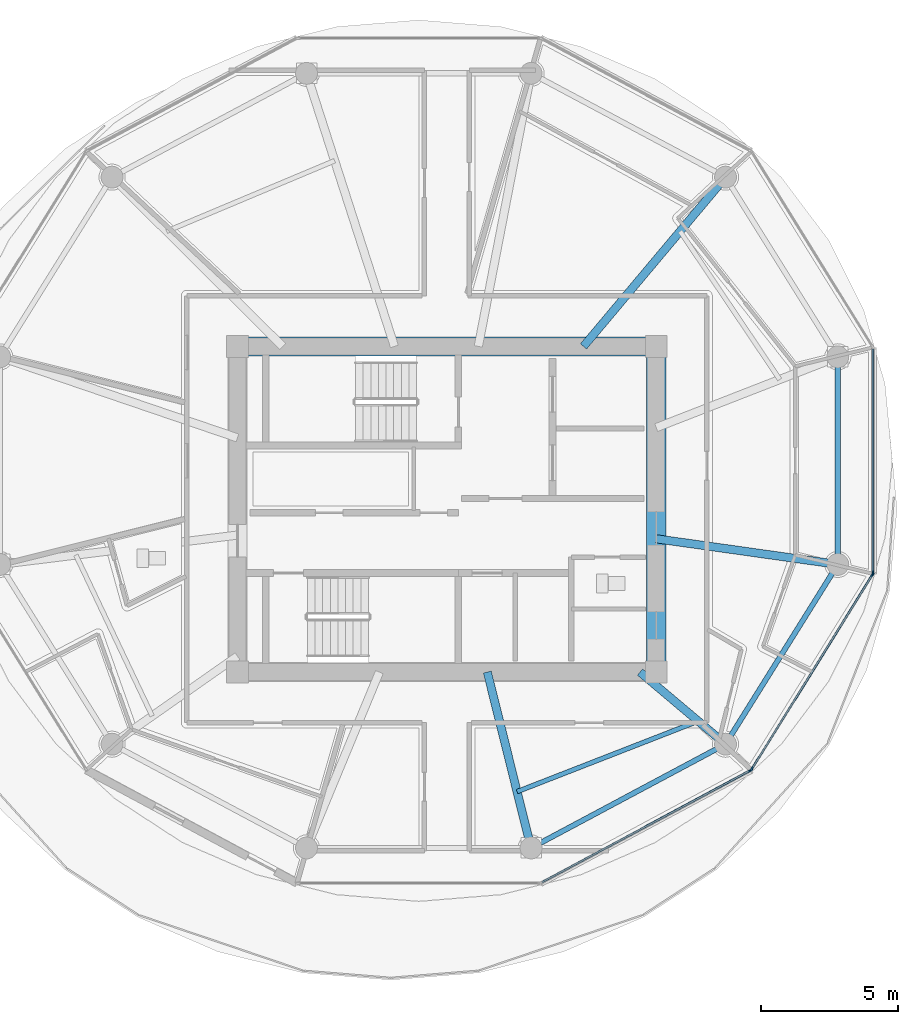
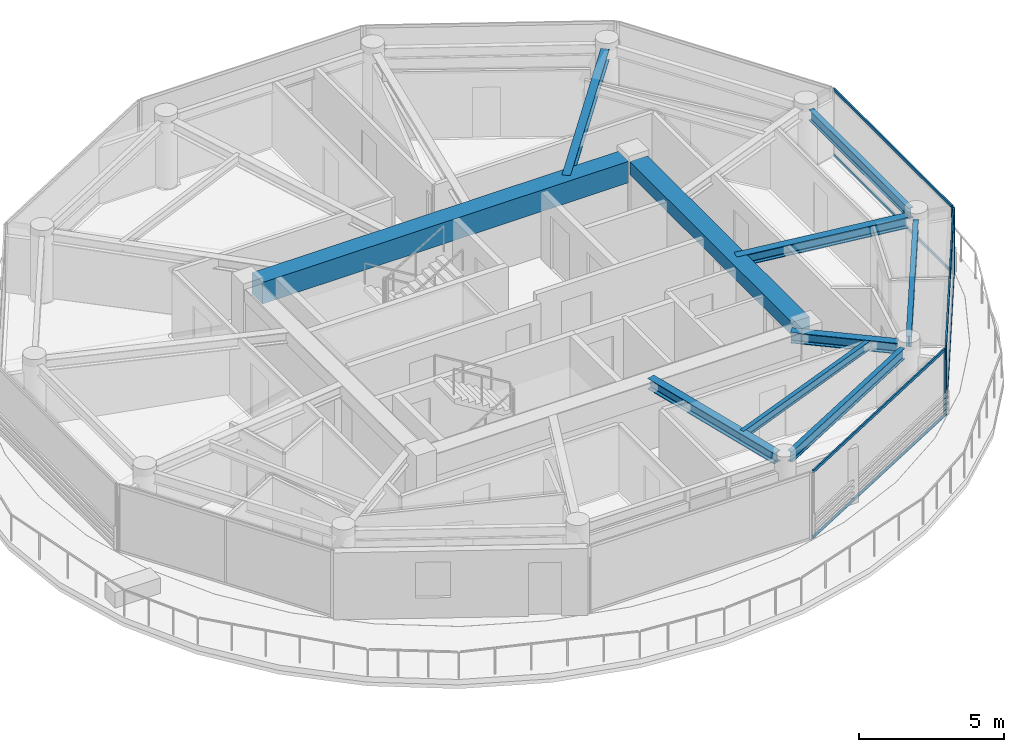
# One storey, part 9 of 28: 10 beams, 10 members, 3 elements without a shape of their own.
"""IFC4 building model written with IfcOpenShell, lengths in metres."""

from ifc_helpers import new_model, si_unit, direction, frame, origin, origin_2d, place, context, subcontext, project, spatial, rectangle, i_section, extrude, source, transform, mapped, material, layer, layer_set, material_profile, profile_set, type_object, type_shapes, element, aggregate, save


model = new_model("IFC4")

# Units and contexts
model_context = context("Model", 3, precision=1e-05, world=origin(), true_north=direction((0.0, 1.0)))
body_context = subcontext(model_context, "Body", "Model", "MODEL_VIEW")
ifc_project = project(units=[si_unit("LENGTHUNIT", "METRE"), si_unit("AREAUNIT", "SQUARE_METRE"), si_unit("VOLUMEUNIT", "CUBIC_METRE"), si_unit("PLANEANGLEUNIT", "RADIAN"), si_unit("MASSUNIT", "GRAM", prefix="KILO")], contexts=[model_context])

# Site, building, storey
site_placement = place(None, origin())
site = spatial("IfcSite", under=ifc_project, at=site_placement, CompositionType="ELEMENT")
building_placement = place(site_placement, origin())
building = spatial("IfcBuilding", under=site, at=building_placement, Name="Norrkilde Senior Care Towers", CompositionType="ELEMENT")
storey_placement = place(building_placement, frame((0.0, 0.0, 134.300048828125)))
storey = spatial("IfcBuildingStorey", under=building, at=storey_placement, Name="L41", CompositionType="ELEMENT", Elevation=134.300048828125)

# Beams
ifc_material_1 = material(Name="Concrete C60/75", Category="concrete")
ifc_material_profile_1 = material_profile(ifc_material_1, rectangle(XDim=0.699951171875, YDim=0.89990234375, at=origin_2d()), Name="RC BM 700x900")
ifc_profile_set_1 = profile_set([ifc_material_profile_1], Name="Concrete C60/75")
beam_type_1 = type_object("IfcBeamType", Name="Core Coupling Girder 700x900", PredefinedType="USERDEFINED", material=ifc_profile_set_1)
shared_shape_1 = source(origin(), body_context, "Body", "SweptSolid", [
    extrude(rectangle(XDim=0.699951171875, YDim=0.89990234375, at=origin_2d()), origin(), (0.0, 0.0, 1.0), 14.5400390625),
])
type_shapes(beam_type_1, [shared_shape_1])
beam_1_placement = place(storey_placement, frame((20.72998046875, 5.949951171875, 2.35986328125), z_axis=(1.0, 0.0, 0.0), x_axis=(0.0, 1.0, 0.0)))
element("IfcBeam", 1, at=beam_1_placement, inside=storey, type_object=beam_type_1, Name="L41 Core E N Coupling Girder", ObjectType="GIRDER", PredefinedType="USERDEFINED", context=body_context, shape_type="MappedRepresentation", body=[
    mapped(shared_shape_1, transform((0.0, 0.0, 0.0), x_axis=(1.0, 0.0, 0.0), y_axis=(0.0, 1.0, 0.0), z_axis=(0.0, 0.0, 1.0), scale=1.0)),
])
ifc_material_profile_2 = material_profile(ifc_material_1, rectangle(XDim=0.699951171875, YDim=0.550048828125, at=origin_2d()), Name="RC BM 700x550")
ifc_profile_set_2 = profile_set([ifc_material_profile_2], Name="Concrete C60/75")
beam_type_2 = type_object("IfcBeamType", Name="Core Portal Coupling Beam 700x550", PredefinedType="USERDEFINED", material=ifc_profile_set_2)
shared_shape_2 = source(origin(), body_context, "Body", "SweptSolid", [
    extrude(rectangle(XDim=0.699951171875, YDim=0.550048828125, at=origin_2d()), origin(), (0.0, 0.0, 1.0), 11.14013671875),
])
type_shapes(beam_type_2, [shared_shape_2])
beam_2_placement = place(storey_placement, frame((35.64990234375, -5.570068359375, 2.534912109375), z_axis=(0.0, 1.0, 0.0), x_axis=(-1.0, 0.0, 0.0)))
element("IfcBeam", 2, at=beam_2_placement, inside=storey, type_object=beam_type_2, Name="L41 Core E E Coupling Girder", ObjectType="GIRDER", PredefinedType="USERDEFINED", context=body_context, shape_type="MappedRepresentation", body=[
    mapped(shared_shape_2, transform((0.0, 0.0, 0.0), x_axis=(1.0, 0.0, 0.0), y_axis=(0.0, 1.0, 0.0), z_axis=(0.0, 0.0, 1.0), scale=1.0)),
])
ifc_material_2 = material(Name="Steel S355", Category="steel")
ifc_material_profile_3 = material_profile(ifc_material_2, i_section(OverallWidth=0.300048828125, OverallDepth=0.449951171875, WebThickness=0.013916015625, FlangeThickness=0.02587890625, FilletRadius=0.027099609375, at=origin_2d()), Name="HEB 450")
ifc_profile_set_3 = profile_set([ifc_material_profile_3], Name="Steel S355")
beam_type_3 = type_object("IfcBeamType", Name="Radial Floor Beam Z3 HEB450", PredefinedType="BEAM", material=ifc_profile_set_3)
shared_shape_3 = source(origin(), body_context, "Body", "SweptSolid", [
    extrude(i_section(OverallWidth=0.300048828125, OverallDepth=0.449951171875, WebThickness=0.013916015625, FlangeThickness=0.02587890625, FilletRadius=0.027099609375, at=origin_2d()), origin(), (0.0, 0.0, 1.0), 7.71337890625),
])
beam_3_placement = place(storey_placement, frame((32.992919921875, 5.949951171875, 2.5849609375), z_axis=(0.642808239864, 0.766027131872, 0.0), x_axis=(-0.766027131872, 0.642808239864, 0.0)))
element("IfcBeam", 3, at=beam_3_placement, inside=storey, type_object=beam_type_3, Name="L41 Drum E Radial Floor Beam 02", PredefinedType="BEAM", context=body_context, shape_type="MappedRepresentation", body=[
    mapped(shared_shape_3, transform((0.0, 0.0, 0.0), x_axis=(1.0, 0.0, 0.0), y_axis=(0.0, 1.0, 0.0), z_axis=(0.0, 0.0, 1.0), scale=1.0)),
])
ifc_material_profile_4 = material_profile(ifc_material_2, i_section(OverallWidth=0.18994140625, OverallDepth=0.449951171875, WebThickness=0.009521484375, FlangeThickness=0.0146484375, FilletRadius=0.02099609375, at=origin_2d()), Name="IPE 450")
ifc_profile_set_4 = profile_set([ifc_material_profile_4], Name="Steel S355")
beam_type_4 = type_object("IfcBeamType", Name="Perimeter Ring Spandrel Z3 IPE450", PredefinedType="SPANDREL", material=ifc_profile_set_4)
shared_shape_4 = source(origin(), body_context, "Body", "SweptSolid", [
    extrude(i_section(OverallWidth=0.18994140625, OverallDepth=0.449951171875, WebThickness=0.009521484375, FlangeThickness=0.0146484375, FilletRadius=0.02099609375, at=origin_2d()), origin(), (0.0, 0.0, 1.0), 6.86328125),
])
beam_4_placement = place(storey_placement, frame((42.284912109375, -1.65625, 2.5849609375), z_axis=(0.0, 1.0, 0.0), x_axis=(-1.0, 0.0, 0.0)))
element("IfcBeam", 4, at=beam_4_placement, inside=storey, type_object=beam_type_4, Name="L41 Drum E Perimeter Spandrel 12", PredefinedType="SPANDREL", context=body_context, shape_type="MappedRepresentation", body=[
    mapped(shared_shape_4, transform((0.0, 0.0, 0.0), x_axis=(1.0, 0.0, 0.0), y_axis=(0.0, 1.0, 0.0), z_axis=(0.0, 0.0, 1.0), scale=1.0)),
])
shared_shape_5 = source(origin(), body_context, "Body", "SweptSolid", [
    extrude(i_section(OverallWidth=0.18994140625, OverallDepth=0.449951171875, WebThickness=0.009521484375, FlangeThickness=0.0146484375, FilletRadius=0.02099609375, at=origin_2d()), origin(), (0.0, 0.0, 1.0), 7.023193359375),
])
beam_5_placement = place(storey_placement, frame((38.373291015625, -8.2783203125, 2.5849609375), z_axis=(0.529805197269, 0.848119362441, 0.0), x_axis=(-0.848119362441, 0.529805197269, 0.0)))
element("IfcBeam", 5, at=beam_5_placement, inside=storey, type_object=beam_type_4, Name="L41 Drum E Perimeter Spandrel 11", PredefinedType="SPANDREL", context=body_context, shape_type="MappedRepresentation", body=[
    mapped(shared_shape_5, transform((0.0, 0.0, 0.0), x_axis=(1.0, 0.0, 0.0), y_axis=(0.0, 1.0, 0.0), z_axis=(0.0, 0.0, 1.0), scale=1.0)),
])
shared_shape_6 = source(origin(), body_context, "Body", "SweptSolid", [
    extrude(i_section(OverallWidth=0.300048828125, OverallDepth=0.449951171875, WebThickness=0.013916015625, FlangeThickness=0.02587890625, FilletRadius=0.027099609375, at=origin_2d()), origin(), (0.0, 0.0, 1.0), 6.3408203125),
])
beam_6_placement = place(storey_placement, frame((35.64990234375, -1.079833984375, 2.5849609375), z_axis=(0.990184519576, -0.139766294905, 0.0), x_axis=(0.139766294905, 0.990184519576, 0.0)))
element("IfcBeam", 6, at=beam_6_placement, inside=storey, type_object=beam_type_3, Name="L41 Drum E Radial Floor Beam 12", PredefinedType="BEAM", context=body_context, shape_type="MappedRepresentation", body=[
    mapped(shared_shape_6, transform((0.0, 0.0, 0.0), x_axis=(1.0, 0.0, 0.0), y_axis=(0.0, 1.0, 0.0), z_axis=(0.0, 0.0, 1.0), scale=1.0)),
])
shared_shape_7 = source(origin(), body_context, "Body", "SweptSolid", [
    extrude(i_section(OverallWidth=0.18994140625, OverallDepth=0.449951171875, WebThickness=0.009521484375, FlangeThickness=0.0146484375, FilletRadius=0.02099609375, at=origin_2d()), origin(), (0.0, 0.0, 1.0), 7.333984375),
])
type_shapes(beam_type_4, [shared_shape_4, shared_shape_5, shared_shape_7])
beam_7_placement = place(storey_placement, frame((31.394775390625, -12.2060546875, 2.5849609375), z_axis=(0.882234038987, 0.470811109101, 0.0), x_axis=(-0.470811109101, 0.882234038987, 0.0)))
element("IfcBeam", 7, at=beam_7_placement, inside=storey, type_object=beam_type_4, Name="L41 Drum E Perimeter Spandrel 10", PredefinedType="SPANDREL", context=body_context, shape_type="MappedRepresentation", body=[
    mapped(shared_shape_7, transform((0.0, 0.0, 0.0), x_axis=(1.0, 0.0, 0.0), y_axis=(0.0, 1.0, 0.0), z_axis=(0.0, 0.0, 1.0), scale=1.0)),
])
shared_shape_8 = source(origin(), body_context, "Body", "SweptSolid", [
    extrude(i_section(OverallWidth=0.300048828125, OverallDepth=0.449951171875, WebThickness=0.013916015625, FlangeThickness=0.02587890625, FilletRadius=0.027099609375, at=origin_2d()), origin(), (0.0, 0.0, 1.0), 3.7265625),
])
beam_8_placement = place(storey_placement, frame((35.058349609375, -5.949951171875, 2.5849609375), z_axis=(0.764567902106, -0.644543189453, 0.0), x_axis=(0.644543189453, 0.764567902106, 0.0)))
element("IfcBeam", 8, at=beam_8_placement, inside=storey, type_object=beam_type_3, Name="L41 Drum E Radial Floor Beam 11", PredefinedType="BEAM", context=body_context, shape_type="MappedRepresentation", body=[
    mapped(shared_shape_8, transform((0.0, 0.0, 0.0), x_axis=(1.0, 0.0, 0.0), y_axis=(0.0, 1.0, 0.0), z_axis=(0.0, 0.0, 1.0), scale=1.0)),
])
shared_shape_9 = source(origin(), body_context, "Body", "SweptSolid", [
    extrude(i_section(OverallWidth=0.300048828125, OverallDepth=0.449951171875, WebThickness=0.013916015625, FlangeThickness=0.02587890625, FilletRadius=0.027099609375, at=origin_2d()), origin(), (0.0, 0.0, 1.0), 6.26123046875),
])
type_shapes(beam_type_3, [shared_shape_3, shared_shape_6, shared_shape_8, shared_shape_9])
beam_9_placement = place(storey_placement, frame((29.4794921875, -5.949951171875, 2.5849609375), z_axis=(0.241324375921, -0.970444509277, 0.0), x_axis=(0.970444509277, 0.241324375921, 0.0)))
element("IfcBeam", 9, at=beam_9_placement, inside=storey, type_object=beam_type_3, Name="L41 Drum E Radial Floor Beam 10", PredefinedType="BEAM", context=body_context, shape_type="MappedRepresentation", body=[
    mapped(shared_shape_9, transform((0.0, 0.0, 0.0), x_axis=(1.0, 0.0, 0.0), y_axis=(0.0, 1.0, 0.0), z_axis=(0.0, 0.0, 1.0), scale=1.0)),
])
ifc_material_profile_5 = material_profile(ifc_material_2, i_section(OverallWidth=0.169921875, OverallDepth=0.360107421875, WebThickness=0.008056640625, FlangeThickness=0.0126953125, FilletRadius=0.01806640625, at=origin_2d()), Name="IPE 360")
ifc_profile_set_5 = profile_set([ifc_material_profile_5], Name="Steel S355")
beam_type_5 = type_object("IfcBeamType", Name="Secondary Floor Joist IPE360", PredefinedType="JOIST", material=ifc_profile_set_5)
shared_shape_10 = source(origin(), body_context, "Body", "SweptSolid", [
    extrude(i_section(OverallWidth=0.169921875, OverallDepth=0.360107421875, WebThickness=0.008056640625, FlangeThickness=0.0126953125, FilletRadius=0.01806640625, at=origin_2d()), origin(), (0.0, 0.0, 1.0), 7.1015625),
])
type_shapes(beam_type_5, [shared_shape_10])
beam_10_placement = place(storey_placement, frame((30.56591796875, -10.3193359375, 2.6298828125), z_axis=(0.931761231292, 0.363071629106, 0.0), x_axis=(-0.363071629106, 0.931761231292, 0.0)))
element("IfcBeam", 10, at=beam_10_placement, inside=storey, type_object=beam_type_5, Name="L41 Drum E Secondary Floor Joist 4", PredefinedType="JOIST", context=body_context, shape_type="MappedRepresentation", body=[
    mapped(shared_shape_10, transform((0.0, 0.0, 0.0), x_axis=(1.0, 0.0, 0.0), y_axis=(0.0, 1.0, 0.0), z_axis=(0.0, 0.0, 1.0), scale=1.0)),
])

# Curtain wall, member
ifc_material_3 = material(Name="Triple Low-E Insulated Glazing", Category="glass")
ifc_layer = layer(ifc_material_3, 0.18994140625)
ifc_layer_set = layer_set([ifc_layer], Name="Triple Low-E Insulated Glazing")
curtain_wall_type = type_object("IfcCurtainWallType", Name="CW4 Zone 3 Senior Residence Curtain Wall", PredefinedType="NOTDEFINED", material=ifc_layer_set)
curtain_wall_1_placement = place(storey_placement, origin())
curtain_wall_1 = element("IfcCurtainWall", 11, at=curtain_wall_1_placement, inside=storey, type_object=curtain_wall_type, Name="L41 Drum E Curtain Wall 09", PredefinedType="NOTDEFINED")
ifc_material_4 = material(Name="Anodised Aluminium", Category="aluminium")
ifc_material_profile_6 = material_profile(ifc_material_4, rectangle(XDim=0.06494140625, YDim=0.14990234375, at=origin_2d()), Name="ALU MULL 65x150")
ifc_profile_set_6 = profile_set([ifc_material_profile_6], Name="Anodised Aluminium")
member_type_1 = type_object("IfcMemberType", Name="Curtain Wall Mullion Z3-Z4 65x150", PredefinedType="MULLION", material=ifc_profile_set_6)
shared_shape_11 = source(origin(), body_context, "Body", "SweptSolid", [
    extrude(rectangle(XDim=0.06494140625, YDim=0.14990234375, at=origin_2d()), origin(), (0.0, 0.0, 1.0), 2.81005859375),
])
type_shapes(member_type_1, [shared_shape_11])
member_1_placement = place(storey_placement, frame((39.094482421875, -9.53955078125, 0.0), z_axis=(0.0, 0.0, 1.0), x_axis=(0.47311715104, -0.880999524059, 0.0)))
member_1 = element("IfcMember", 12, at=member_1_placement, type_object=member_type_1, Name="CW-4 mullion 1", PredefinedType="MULLION", context=body_context, shape_type="MappedRepresentation", body=[
    mapped(shared_shape_11, transform((0.0, 0.0, 0.0), x_axis=(1.0, 0.0, 0.0), y_axis=(0.0, 1.0, 0.0), z_axis=(0.0, 0.0, 1.0), scale=1.0)),
])

# Curtain wall, members
curtain_wall_2_placement = place(storey_placement, origin())
curtain_wall_2 = element("IfcCurtainWall", 13, at=curtain_wall_2_placement, inside=storey, type_object=curtain_wall_type, Name="L41 Drum E Curtain Wall 10", PredefinedType="NOTDEFINED")
member_2_placement = place(storey_placement, frame((43.552490234375, -2.38818359375, 0.0), z_axis=(0.0, 0.0, 1.0), x_axis=(0.84963405474, -0.52737270789, 0.0)))
member_2 = element("IfcMember", 14, at=member_2_placement, type_object=member_type_1, Name="CW-4 mullion 1", PredefinedType="MULLION", context=body_context, shape_type="MappedRepresentation", body=[
    mapped(shared_shape_11, transform((0.0, 0.0, 0.0), x_axis=(1.0, 0.0, 0.0), y_axis=(0.0, 1.0, 0.0), z_axis=(0.0, 0.0, 1.0), scale=1.0)),
])
member_3_placement = place(storey_placement, frame((39.14013671875, -9.49658203125, 0.0), z_axis=(0.0, 0.0, 1.0), x_axis=(0.84963405474, -0.52737270789, 0.0)))
member_3 = element("IfcMember", 15, at=member_3_placement, type_object=member_type_1, Name="CW-4 mullion 2", PredefinedType="MULLION", context=body_context, shape_type="MappedRepresentation", body=[
    mapped(shared_shape_11, transform((0.0, 0.0, 0.0), x_axis=(1.0, 0.0, 0.0), y_axis=(0.0, 1.0, 0.0), z_axis=(0.0, 0.0, 1.0), scale=1.0)),
])

# Curtain wall, member
curtain_wall_3_placement = place(storey_placement, origin())
curtain_wall_3 = element("IfcCurtainWall", 16, at=curtain_wall_3_placement, inside=storey, type_object=curtain_wall_type, Name="L41 Drum E Curtain Wall 11", PredefinedType="NOTDEFINED")
member_4_placement = place(storey_placement, frame((43.569580078125, -2.328125, 0.0), z_axis=(0.0, 0.0, 1.0), x_axis=(1.0, 0.0, 0.0)))
member_4 = element("IfcMember", 17, at=member_4_placement, type_object=member_type_1, Name="CW-4 mullion 2", PredefinedType="MULLION", context=body_context, shape_type="MappedRepresentation", body=[
    mapped(shared_shape_11, transform((0.0, 0.0, 0.0), x_axis=(1.0, 0.0, 0.0), y_axis=(0.0, 1.0, 0.0), z_axis=(0.0, 0.0, 1.0), scale=1.0)),
])

# Member
ifc_material_profile_7 = material_profile(ifc_material_4, rectangle(XDim=0.06005859375, YDim=0.1201171875, at=origin_2d()), Name="ALU TRAN 60x120")
ifc_profile_set_7 = profile_set([ifc_material_profile_7], Name="Anodised Aluminium")
member_type_2 = type_object("IfcMemberType", Name="Curtain Wall Transom Typical 60x120", PredefinedType="USERDEFINED", material=ifc_profile_set_7)
shared_shape_12 = source(origin(), body_context, "Body", "SweptSolid", [
    extrude(rectangle(XDim=0.06005859375, YDim=0.1201171875, at=origin_2d()), origin(), (0.0, 0.0, 1.0), 8.301513671875),
])
member_5_placement = place(storey_placement, frame((43.535400390625, -2.415771484375, 0.030029296875), z_axis=(-0.527368718394, -0.849636531029, 0.0), x_axis=(0.849636531029, -0.527368718394, 0.0)))
member_5 = element("IfcMember", 18, at=member_5_placement, type_object=member_type_2, Name="CW-4 transom 1.1", ObjectType="TRANSOM", PredefinedType="USERDEFINED", context=body_context, shape_type="MappedRepresentation", body=[
    mapped(shared_shape_12, transform((0.0, 0.0, 0.0), x_axis=(1.0, 0.0, 0.0), y_axis=(0.0, 1.0, 0.0), z_axis=(0.0, 0.0, 1.0), scale=1.0)),
])

member_6_placement = place(storey_placement, frame((43.535400390625, -2.415771484375, 2.780029296875), z_axis=(-0.527368718394, -0.849636531029, 0.0), x_axis=(0.849636531029, -0.527368718394, 0.0)))
member_6 = element("IfcMember", 19, at=member_6_placement, type_object=member_type_2, Name="CW-4 transom 1.2", ObjectType="TRANSOM", PredefinedType="USERDEFINED", context=body_context, shape_type="MappedRepresentation", body=[
    mapped(shared_shape_12, transform((0.0, 0.0, 0.0), x_axis=(1.0, 0.0, 0.0), y_axis=(0.0, 1.0, 0.0), z_axis=(0.0, 0.0, 1.0), scale=1.0)),
])

aggregate(curtain_wall_2, [member_2, member_3, member_5, member_6])

shared_shape_13 = source(origin(), body_context, "Body", "SweptSolid", [
    extrude(rectangle(XDim=0.06005859375, YDim=0.1201171875, at=origin_2d()), origin(), (0.0, 0.0, 1.0), 8.612060546875),
])
member_7_placement = place(storey_placement, frame((39.06591796875, -9.554931640625, 0.030029296875), z_axis=(-0.881000337462, -0.473115636384, 0.0), x_axis=(0.473115636384, -0.881000337462, 0.0)))
member_7 = element("IfcMember", 20, at=member_7_placement, type_object=member_type_2, Name="CW-4 transom 1.1", ObjectType="TRANSOM", PredefinedType="USERDEFINED", context=body_context, shape_type="MappedRepresentation", body=[
    mapped(shared_shape_13, transform((0.0, 0.0, 0.0), x_axis=(1.0, 0.0, 0.0), y_axis=(0.0, 1.0, 0.0), z_axis=(0.0, 0.0, 1.0), scale=1.0)),
])

member_8_placement = place(storey_placement, frame((39.06591796875, -9.554931640625, 2.780029296875), z_axis=(-0.881000337462, -0.473115636384, 0.0), x_axis=(0.473115636384, -0.881000337462, 0.0)))
member_8 = element("IfcMember", 21, at=member_8_placement, type_object=member_type_2, Name="CW-4 transom 1.2", ObjectType="TRANSOM", PredefinedType="USERDEFINED", context=body_context, shape_type="MappedRepresentation", body=[
    mapped(shared_shape_13, transform((0.0, 0.0, 0.0), x_axis=(1.0, 0.0, 0.0), y_axis=(0.0, 1.0, 0.0), z_axis=(0.0, 0.0, 1.0), scale=1.0)),
])

aggregate(curtain_wall_1, [member_1, member_7, member_8])

shared_shape_14 = source(origin(), body_context, "Body", "SweptSolid", [
    extrude(rectangle(XDim=0.06005859375, YDim=0.1201171875, at=origin_2d()), origin(), (0.0, 0.0, 1.0), 8.141845703125),
])
type_shapes(member_type_2, [shared_shape_12, shared_shape_13, shared_shape_14])
member_9_placement = place(storey_placement, frame((43.569580078125, 5.84619140625, 0.030029296875), z_axis=(0.0, -1.0, 0.0), x_axis=(1.0, 0.0, 0.0)))
member_9 = element("IfcMember", 22, at=member_9_placement, type_object=member_type_2, Name="CW-4 transom 1.1", ObjectType="TRANSOM", PredefinedType="USERDEFINED", context=body_context, shape_type="MappedRepresentation", body=[
    mapped(shared_shape_14, transform((0.0, 0.0, 0.0), x_axis=(1.0, 0.0, 0.0), y_axis=(0.0, 1.0, 0.0), z_axis=(0.0, 0.0, 1.0), scale=1.0)),
])

member_10_placement = place(storey_placement, frame((43.569580078125, 5.84619140625, 2.780029296875), z_axis=(0.0, -1.0, 0.0), x_axis=(1.0, 0.0, 0.0)))
member_10 = element("IfcMember", 23, at=member_10_placement, type_object=member_type_2, Name="CW-4 transom 1.2", ObjectType="TRANSOM", PredefinedType="USERDEFINED", context=body_context, shape_type="MappedRepresentation", body=[
    mapped(shared_shape_14, transform((0.0, 0.0, 0.0), x_axis=(1.0, 0.0, 0.0), y_axis=(0.0, 1.0, 0.0), z_axis=(0.0, 0.0, 1.0), scale=1.0)),
])

aggregate(curtain_wall_3, [member_4, member_9, member_10])

save(model, "model.ifc")
